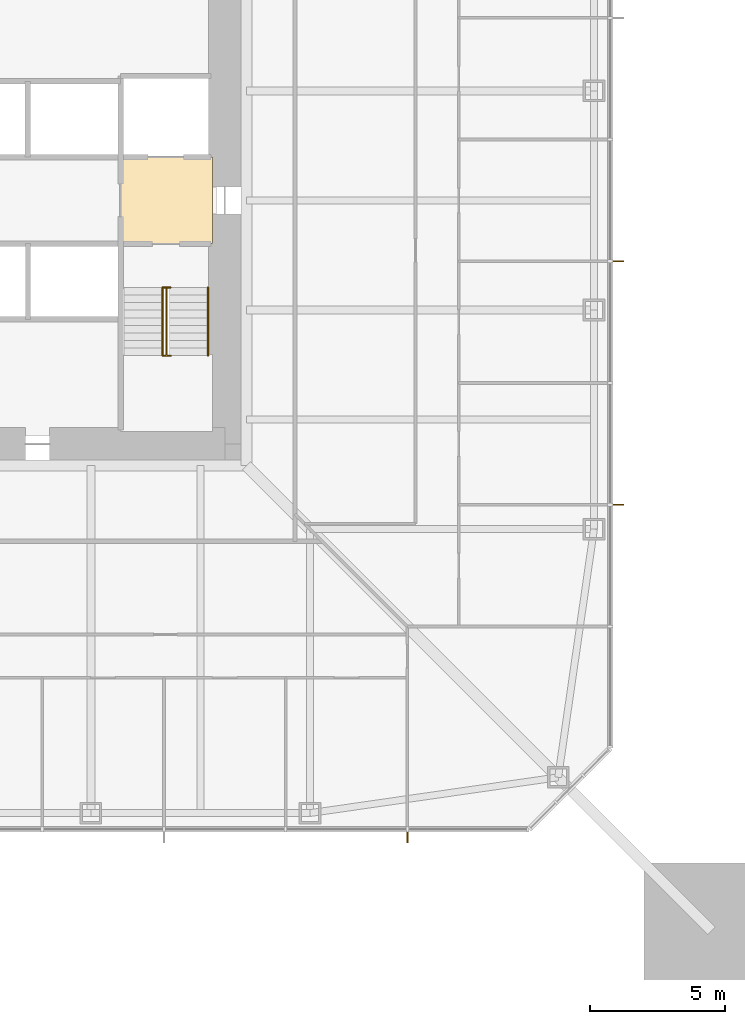
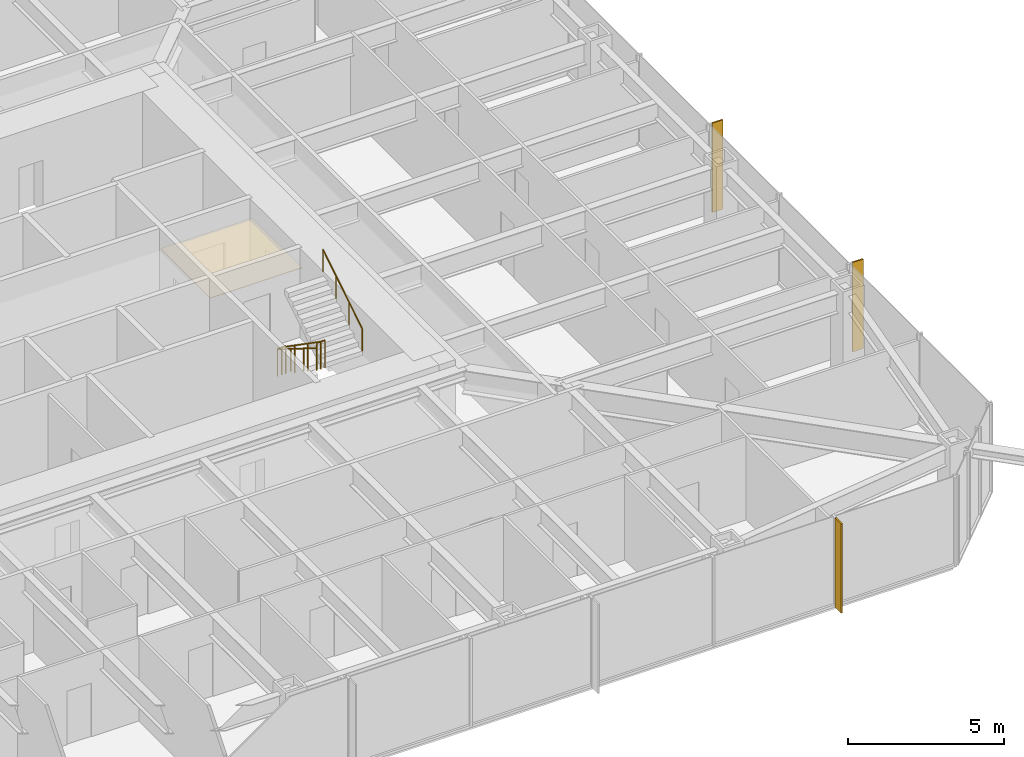
# One storey, part 24 of 26: 3 railings, 3 shading devices, 1 covering.
"""IFC4 building model written with IfcOpenShell, lengths in metres."""

from ifc_helpers import new_model, si_unit, direction, frame, origin, origin_2d, place, context, subcontext, project, spatial, polyline, rectangle, circle, outline, extrude, material, layer, layer_set, constituent, constituent_set, type_object, element, save


model = new_model("IFC4")

# Units and contexts
model_context = context("Model", 3, precision=1e-05, world=origin(), true_north=direction((0.0, 1.0)))
body_context = subcontext(model_context, "Body", "Model", "MODEL_VIEW")
ifc_project = project(units=[si_unit("LENGTHUNIT", "METRE"), si_unit("AREAUNIT", "SQUARE_METRE"), si_unit("VOLUMEUNIT", "CUBIC_METRE"), si_unit("PLANEANGLEUNIT", "RADIAN"), si_unit("MASSUNIT", "GRAM", prefix="KILO")], contexts=[model_context])

# Site, building, storey
site_placement = place(None, origin())
site = spatial("IfcSite", under=ifc_project, at=site_placement, CompositionType="ELEMENT")
building_placement = place(site_placement, origin())
building = spatial("IfcBuilding", under=site, at=building_placement, Name="Iwan Alto Co-Living Towers", CompositionType="ELEMENT")
storey_placement = place(building_placement, frame((0.0, 0.0, 18.5)))
storey = spatial("IfcBuildingStorey", under=building, at=storey_placement, Name="L04", CompositionType="ELEMENT", Elevation=18.5)

# Covering
ifc_material_1 = material(Name="Mineral fibre acoustic tiles on steel grid", Category="steel")
ifc_layer_1 = layer(ifc_material_1, 0.02001953125)
ifc_layer_set_1 = layer_set([ifc_layer_1], Name="ACOUSTIC TILE CEILING 20")
covering_type = type_object("IfcCoveringType", Name="ACOUSTIC TILE CEILING 20", PredefinedType="CEILING", material=ifc_layer_set_1)
covering_placement = place(storey_placement, frame((0.0, 0.0, 2.60009765625)))
element("IfcCovering", 1, at=covering_placement, inside=storey, type_object=covering_type, Name="Ceiling Firefighting lobby L04", PredefinedType="CEILING", context=body_context, shape_type="SweptSolid", body=[
    extrude(outline(polyline([(5.14990234375, -1.60009765625), (5.14990234375, 1.60009765625), (8.550048828125, 1.60009765625), (8.550048828125, -1.60009765625), (5.14990234375, -1.60009765625)])), origin(), (0.0, 0.0, 1.0), 0.02001953125),
])

# Shading devices
ifc_material_2 = material(Name="Aluminium 6063-T6 bronze anodised", Category="aluminium")
ifc_layer_2 = layer(ifc_material_2, 0.050048828125)
ifc_layer_set_2 = layer_set([ifc_layer_2], Name="BRONZE FIN 50X400")
shading_device_type = type_object("IfcShadingDeviceType", Name="BRONZE FIN 50X400", PredefinedType="USERDEFINED", material=ifc_layer_set_2)
for number, where, z_axis, x_axis, name in (
    (2, (15.75, -23.550048828125, 0.0), (0.0, 0.0, 1.0), (1.0, 0.0, 0.0), "Bronze fin L04"),
    (3, (23.550048828125, -11.25, 0.0), (0.0, 0.0, 1.0), (0.0, 1.0, 0.0), "Bronze fin L04"),
    (4, (23.550048828125, -2.25, 0.0), (0.0, 0.0, 1.0), (0.0, 1.0, 0.0), "Bronze fin L04"),
):
    element("IfcShadingDevice", number, at=place(storey_placement, frame(where, z_axis=z_axis, x_axis=x_axis)), inside=storey, type_object=shading_device_type, Name=name, ObjectType="LOUVER", PredefinedType="USERDEFINED", context=body_context, shape_type="SweptSolid", body=[
        extrude(rectangle(XDim=0.050048828125, YDim=0.39990234375, at=origin_2d()), origin(), (0.0, 0.0, 1.0), 3.5),
    ])

# Railings
ifc_material_3 = material(Name="Steel ASTM A500 Gr C", Category="steel")
ifc_constituent_1 = constituent(ifc_material_3, Name="Rails and posts", Category="Framing")
ifc_material_4 = material(Name="Steel ASTM A36", Category="steel")
ifc_constituent_2 = constituent(ifc_material_4, Name="Bar infill", Category="Infill")
ifc_constituent_set = constituent_set(constituents=[ifc_constituent_1, ifc_constituent_2], Name="STAIR GUARD 1100")
railing_type_1 = type_object("IfcRailingType", Name="STAIR GUARD 1100", PredefinedType="GUARDRAIL", material=ifc_constituent_set)
railing_1_placement = place(storey_placement, frame((6.85009765625, -3.219970703125, 0.0)))
element("IfcRailing", 5, at=railing_1_placement, inside=storey, type_object=railing_type_1, Name="Stair T1-S2 well guard L04", PredefinedType="GUARDRAIL", context=body_context, shape_type="SweptSolid", body=[
    extrude(circle(Radius=0.02392578125, at=origin_2d()), frame((0.0, 0.0, 1.076171875), z_axis=(0.0, -0.821372036852, 0.570392826987), x_axis=(1.0, 0.0, 0.0)), (0.0, 0.0, 1.0), 3.068115234375),
    extrude(circle(Radius=0.02392578125, at=origin_2d()), frame((-0.150146484375, 0.0, 1.076171875), z_axis=(1.0, 0.0, 0.0), x_axis=(0.0, 1.0, 0.0)), (0.0, 0.0, 1.0), 0.300048828125),
    extrude(circle(Radius=0.02392578125, at=origin_2d()), frame((-0.150146484375, -2.52001953125, 2.826171875), z_axis=(1.0, 0.0, 0.0), x_axis=(0.0, 1.0, 0.0)), (0.0, 0.0, 1.0), 0.300048828125),
    extrude(circle(Radius=0.02099609375, at=origin_2d()), origin(), (0.0, 0.0, 1.0), 1.052001953125),
    extrude(circle(Radius=0.02099609375, at=origin_2d()), frame((0.0, -0.840087890625, 0.583251953125)), (0.0, 0.0, 1.0), 1.052001953125),
    extrude(circle(Radius=0.02099609375, at=origin_2d()), frame((0.0, -1.679931640625, 1.166748046875)), (0.0, 0.0, 1.0), 1.052001953125),
    extrude(circle(Radius=0.02099609375, at=origin_2d()), frame((0.0, -2.52001953125, 1.75)), (0.0, 0.0, 1.0), 1.052001953125),
    extrude(circle(Radius=0.02099609375, at=origin_2d()), frame((-0.150146484375, 0.0, 0.0)), (0.0, 0.0, 1.0), 1.052001953125),
    extrude(circle(Radius=0.02099609375, at=origin_2d()), frame((0.14990234375, 0.0, 0.0)), (0.0, 0.0, 1.0), 1.052001953125),
    extrude(circle(Radius=0.02099609375, at=origin_2d()), frame((-0.150146484375, -2.52001953125, 1.75)), (0.0, 0.0, 1.0), 1.052001953125),
    extrude(circle(Radius=0.02099609375, at=origin_2d()), frame((0.14990234375, -2.52001953125, 1.75)), (0.0, 0.0, 1.0), 1.052001953125),
])
ifc_material_5 = material(Name="Steel ASTM A500 Gr C", Category="steel")
railing_type_2 = type_object("IfcRailingType", Name="STAIR HANDRAIL 900", PredefinedType="HANDRAIL", material=ifc_material_5)
railing_2_placement = place(storey_placement, frame((6.699951171875, -3.219970703125, 0.175048828125)))
element("IfcRailing", 6, at=railing_2_placement, inside=storey, type_object=railing_type_2, Name="Stair T1-S2 handrail 1 L04", PredefinedType="HANDRAIL", context=body_context, shape_type="SweptSolid", body=[
    extrude(circle(Radius=0.02392578125, at=origin_2d()), frame((0.0, 0.0, 0.8759765625), z_axis=(0.0, -0.848007534815, 0.529984170421), x_axis=(1.0, 0.0, 0.0)), (0.0, 0.0, 1.0), 2.9716796875),
    extrude(circle(Radius=0.02099609375, at=origin_2d()), origin(), (0.0, 0.0, 1.0), 0.851806640625),
    extrude(circle(Radius=0.02099609375, at=origin_2d()), frame((0.0, -0.840087890625, 0.52490234375)), (0.0, 0.0, 1.0), 0.851806640625),
    extrude(circle(Radius=0.02099609375, at=origin_2d()), frame((0.0, -1.679931640625, 1.050048828125)), (0.0, 0.0, 1.0), 0.851806640625),
    extrude(circle(Radius=0.02099609375, at=origin_2d()), frame((0.0, -2.52001953125, 1.574951171875)), (0.0, 0.0, 1.0), 0.851806640625),
])
railing_3_placement = place(storey_placement, frame((8.3798828125, -5.739990234375, 1.925048828125)))
element("IfcRailing", 7, at=railing_3_placement, inside=storey, type_object=railing_type_2, Name="Stair T1-S2 handrail 2 L04", PredefinedType="HANDRAIL", context=body_context, shape_type="SweptSolid", body=[
    extrude(circle(Radius=0.02392578125, at=origin_2d()), frame((0.0, 0.0, 0.8759765625), z_axis=(0.0, 0.848007534815, 0.529984170421), x_axis=(-1.0, 0.0, 0.0)), (0.0, 0.0, 1.0), 2.9716796875),
    extrude(circle(Radius=0.02099609375, at=origin_2d()), origin(), (0.0, 0.0, 1.0), 0.851806640625),
    extrude(circle(Radius=0.02099609375, at=origin_2d()), frame((0.0, 0.840087890625, 0.52490234375)), (0.0, 0.0, 1.0), 0.851806640625),
    extrude(circle(Radius=0.02099609375, at=origin_2d()), frame((0.0, 1.679931640625, 1.050048828125)), (0.0, 0.0, 1.0), 0.851806640625),
    extrude(circle(Radius=0.02099609375, at=origin_2d()), frame((0.0, 2.52001953125, 1.574951171875)), (0.0, 0.0, 1.0), 0.851806640625),
])

save(model, "model.ifc")
